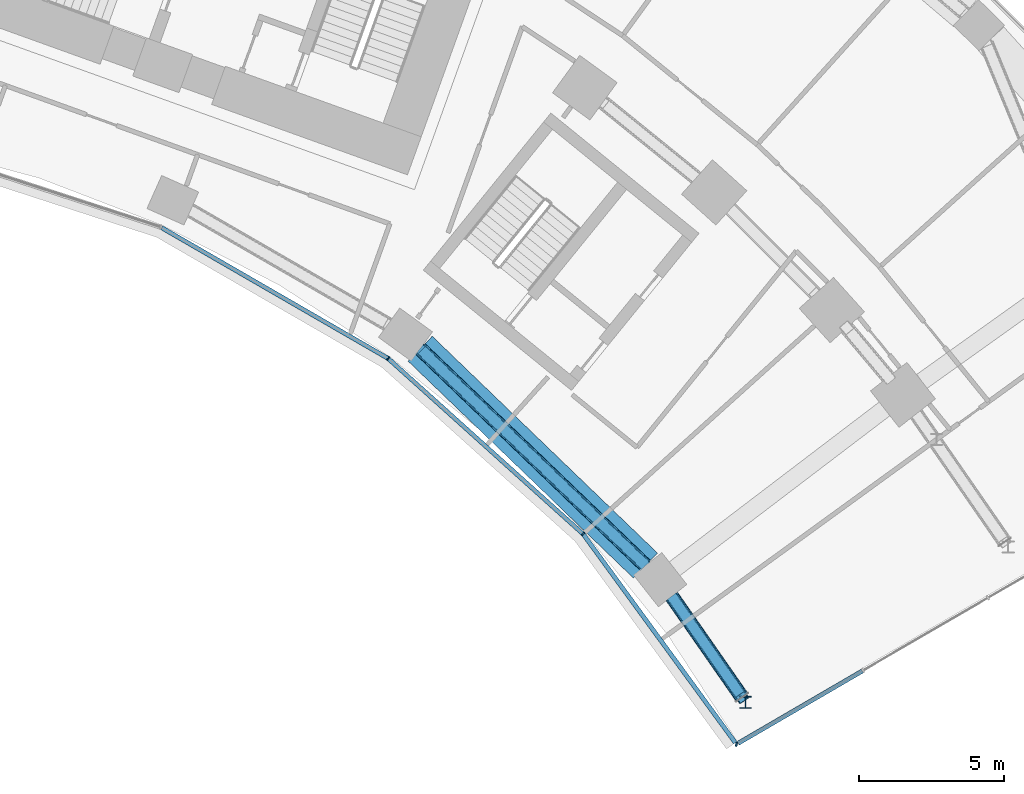
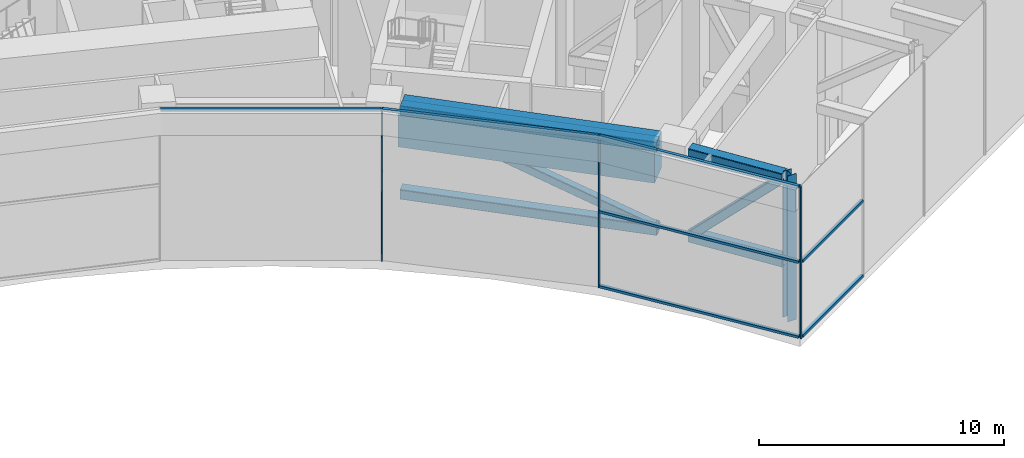
# One storey, part 9 of 33: 17 members, 1 beam, 2 elements without a shape of their own.
"""IFC4 building model written with IfcOpenShell, lengths in metres."""

from ifc_helpers import new_model, si_unit, direction, frame, origin, origin_2d, place, context, subcontext, project, spatial, rectangle, hollow_rectangle, i_section, extrude, material, layer, layer_set, material_profile, profile_set, type_object, element, aggregate, save


model = new_model("IFC4")

# Units and contexts
model_context = context("Model", 3, precision=1e-05, world=origin(), true_north=direction((0.0, 1.0)))
body_context = subcontext(model_context, "Body", "Model", "MODEL_VIEW")
ifc_project = project(units=[si_unit("LENGTHUNIT", "METRE"), si_unit("AREAUNIT", "SQUARE_METRE"), si_unit("VOLUMEUNIT", "CUBIC_METRE"), si_unit("PLANEANGLEUNIT", "RADIAN"), si_unit("MASSUNIT", "GRAM", prefix="KILO")], contexts=[model_context])

# Site, building, storey
site_placement = place(None, origin())
site = spatial("IfcSite", under=ifc_project, at=site_placement, CompositionType="ELEMENT")
building_placement = place(site_placement, origin())
building = spatial("IfcBuilding", under=site, at=building_placement, Name="Stone Belt Terrace Tower", CompositionType="ELEMENT")
storey_placement = place(building_placement, frame((0.0, 0.0, 79.39990234375)))
storey = spatial("IfcBuildingStorey", under=building, at=storey_placement, Name="L19", CompositionType="ELEMENT", Elevation=79.39990234375)

# Curtain wall, members
ifc_material_1 = material(Name="Aluminium 6063-T6 anodised frame", Category="aluminium")
ifc_layer_1 = layer(ifc_material_1, 0.14990234375)
ifc_layer_set_1 = layer_set([ifc_layer_1], Name="CW-B unitised concave-face curtain wall")
curtain_wall_type_1 = type_object("IfcCurtainWallType", Name="CW-B unitised concave-face curtain wall", PredefinedType="NOTDEFINED", material=ifc_layer_set_1)
curtain_wall_1_placement = place(storey_placement, origin())
curtain_wall_1 = element("IfcCurtainWall", 1, at=curtain_wall_1_placement, inside=storey, type_object=curtain_wall_type_1, Name="CW-B concave face L19", PredefinedType="NOTDEFINED")
ifc_material_profile_1 = material_profile(ifc_material_1, rectangle(XDim=0.14990234375, YDim=0.050048828125, at=origin_2d()), Name="Aluminium 6063-T6 50x150")
ifc_profile_set_1 = profile_set([ifc_material_profile_1], Name="Aluminium 6063-T6 anodised frame")
member_type_1 = type_object("IfcMemberType", Name="CW-B mullion 50 x 150", PredefinedType="MULLION", material=ifc_profile_set_1)
member_1_placement = place(storey_placement, frame((25.5244140625, 35.13134765625, 0.0), z_axis=(0.0, 0.0, 1.0), x_axis=(0.587785252292, 0.809016994375, 0.0)))
member_1 = element("IfcMember", 2, at=member_1_placement, type_object=member_type_1, Name="CW-B mullion 9", PredefinedType="MULLION", context=body_context, shape_type="SweptSolid", body=[
    extrude(rectangle(XDim=0.14990234375, YDim=0.050048828125, at=origin_2d()), origin(), (0.0, 0.0, 1.0), 7.60009765625),
])
member_2_placement = place(storey_placement, frame((32.270751953125, 29.056640625, 0.0), z_axis=(0.0, 0.0, 1.0), x_axis=(0.742548806143, 0.669791960608, 0.0)))
member_2 = element("IfcMember", 3, at=member_2_placement, type_object=member_type_1, Name="CW-B mullion 10", PredefinedType="MULLION", context=body_context, shape_type="SweptSolid", body=[
    extrude(rectangle(XDim=0.14990234375, YDim=0.050048828125, at=origin_2d()), origin(), (0.0, 0.0, 1.0), 7.60009765625),
])
ifc_material_profile_2 = material_profile(ifc_material_1, rectangle(XDim=0.14990234375, YDim=0.1201171875, at=origin_2d()), Name="Aluminium 6063-T6 150x120")
ifc_profile_set_2 = profile_set([ifc_material_profile_2], Name="Aluminium 6063-T6 anodised frame")
member_type_2 = type_object("IfcMemberType", Name="CW-B transom 120 x 150", PredefinedType="USERDEFINED", material=ifc_profile_set_2)
member_3_placement = place(storey_placement, frame((17.690673828125, 39.654052734375, 7.5400390625), z_axis=(0.866019133895, -0.500010859609, 0.0), x_axis=(0.500010859609, 0.866019133895, 0.0)))
member_3 = element("IfcMember", 4, at=member_3_placement, type_object=member_type_2, Name="CW-B transom 8.1", ObjectType="TRANSOM", PredefinedType="USERDEFINED", context=body_context, shape_type="SweptSolid", body=[
    extrude(rectangle(XDim=0.14990234375, YDim=0.1201171875, at=origin_2d()), origin(), (0.0, 0.0, 1.0), 9.012939453125),
])
member_4_placement = place(storey_placement, frame((25.548583984375, 35.109375, 7.5400390625), z_axis=(0.74315270459, -0.669121855614, 0.0), x_axis=(0.669121855614, 0.74315270459, 0.0)))
member_4 = element("IfcMember", 5, at=member_4_placement, type_object=member_type_2, Name="CW-B transom 9.1", ObjectType="TRANSOM", PredefinedType="USERDEFINED", context=body_context, shape_type="SweptSolid", body=[
    extrude(rectangle(XDim=0.14990234375, YDim=0.1201171875, at=origin_2d()), origin(), (0.0, 0.0, 1.0), 9.012939453125),
])
member_5_placement = place(storey_placement, frame((32.2900390625, 29.0302734375, 0.06005859375), z_axis=(0.589234850818, -0.807961812576, 0.0), x_axis=(0.807961812576, 0.589234850818, 0.0)))
member_5 = element("IfcMember", 6, at=member_5_placement, type_object=member_type_2, Name="CW-B transom 10.1", ObjectType="TRANSOM", PredefinedType="USERDEFINED", context=body_context, shape_type="SweptSolid", body=[
    extrude(rectangle(XDim=0.14990234375, YDim=0.1201171875, at=origin_2d()), origin(), (0.0, 0.0, 1.0), 8.898193359375),
])
member_6_placement = place(storey_placement, frame((32.2900390625, 29.0302734375, 3.800048828125), z_axis=(0.589234850818, -0.807961812576, 0.0), x_axis=(0.807961812576, 0.589234850818, 0.0)))
member_6 = element("IfcMember", 7, at=member_6_placement, type_object=member_type_2, Name="CW-B transom 10.2", ObjectType="TRANSOM", PredefinedType="USERDEFINED", context=body_context, shape_type="SweptSolid", body=[
    extrude(rectangle(XDim=0.14990234375, YDim=0.1201171875, at=origin_2d()), origin(), (0.0, 0.0, 1.0), 8.898193359375),
])
member_7_placement = place(storey_placement, frame((32.2900390625, 29.0302734375, 7.5400390625), z_axis=(0.589234850818, -0.807961812576, 0.0), x_axis=(0.807961812576, 0.589234850818, 0.0)))
member_7 = element("IfcMember", 8, at=member_7_placement, type_object=member_type_2, Name="CW-B transom 10.3", ObjectType="TRANSOM", PredefinedType="USERDEFINED", context=body_context, shape_type="SweptSolid", body=[
    extrude(rectangle(XDim=0.14990234375, YDim=0.1201171875, at=origin_2d()), origin(), (0.0, 0.0, 1.0), 8.898193359375),
])
aggregate(curtain_wall_1, [member_1, member_2, member_3, member_4, member_5, member_6, member_7])

ifc_layer_2 = layer(ifc_material_1, 0.14990234375)
ifc_layer_set_2 = layer_set([ifc_layer_2], Name="CW-C stick curtain wall, horn ends and notches")
curtain_wall_type_2 = type_object("IfcCurtainWallType", Name="CW-C stick curtain wall, horn ends and notches", PredefinedType="NOTDEFINED", material=ifc_layer_set_2)
curtain_wall_2_placement = place(storey_placement, origin())
curtain_wall_2 = element("IfcCurtainWall", 9, at=curtain_wall_2_placement, inside=storey, type_object=curtain_wall_type_2, Name="CW-C end face L19", PredefinedType="NOTDEFINED")
ifc_material_profile_3 = material_profile(ifc_material_1, rectangle(XDim=0.14990234375, YDim=0.06005859375, at=origin_2d()), Name="Aluminium 6063-T6 60x150")
ifc_profile_set_3 = profile_set([ifc_material_profile_3], Name="Aluminium 6063-T6 anodised frame")
member_type_3 = type_object("IfcMemberType", Name="CW-C mullion 60 x 150", PredefinedType="MULLION", material=ifc_profile_set_3)
member_8_placement = place(storey_placement, frame((37.57373046875, 21.78515625, 0.0), z_axis=(0.0, 0.0, 1.0), x_axis=(0.205298427037, 0.978699420586, 0.0)))
member_8 = element("IfcMember", 10, at=member_8_placement, type_object=member_type_3, Name="CW-C mullion 1", PredefinedType="MULLION", context=body_context, shape_type="SweptSolid", body=[
    extrude(rectangle(XDim=0.14990234375, YDim=0.06005859375, at=origin_2d()), origin(), (0.0, 0.0, 1.0), 7.60009765625),
])
ifc_material_profile_4 = material_profile(ifc_material_1, rectangle(XDim=0.14990234375, YDim=0.1201171875, at=origin_2d()), Name="Aluminium 6063-T6 150x120")
ifc_profile_set_4 = profile_set([ifc_material_profile_4], Name="Aluminium 6063-T6 anodised frame")
member_type_4 = type_object("IfcMemberType", Name="CW-C transom 120 x 150", PredefinedType="USERDEFINED", material=ifc_profile_set_4)
member_9_placement = place(storey_placement, frame((37.63623046875, 21.821533203125, 0.06005859375), z_axis=(0.864233293303, 0.503091258865, 0.0), x_axis=(-0.503091258865, 0.864233293303, 0.0)))
member_9 = element("IfcMember", 11, at=member_9_placement, type_object=member_type_4, Name="CW-C transom 1.1", ObjectType="TRANSOM", PredefinedType="USERDEFINED", context=body_context, shape_type="SweptSolid", body=[
    extrude(rectangle(XDim=0.14990234375, YDim=0.1201171875, at=origin_2d()), origin(), (0.0, 0.0, 1.0), 4.96533203125),
])
member_10_placement = place(storey_placement, frame((37.63623046875, 21.821533203125, 3.800048828125), z_axis=(0.864233293303, 0.503091258865, 0.0), x_axis=(-0.503091258865, 0.864233293303, 0.0)))
member_10 = element("IfcMember", 12, at=member_10_placement, type_object=member_type_4, Name="CW-C transom 1.2", ObjectType="TRANSOM", PredefinedType="USERDEFINED", context=body_context, shape_type="SweptSolid", body=[
    extrude(rectangle(XDim=0.14990234375, YDim=0.1201171875, at=origin_2d()), origin(), (0.0, 0.0, 1.0), 4.96533203125),
])
aggregate(curtain_wall_2, [member_8, member_9, member_10])

# Members
ifc_material_2 = material(Name="Structural steel C345", Category="steel")
ifc_material_profile_5 = material_profile(ifc_material_2, hollow_rectangle(XDim=0.5, YDim=0.5, WallThickness=0.02001953125, InnerFilletRadius=0.0400390625, OuterFilletRadius=0.06005859375, at=origin_2d()), Name="SHS 500x500x20")
ifc_profile_set_5 = profile_set([ifc_material_profile_5], Name="Structural steel C345")
member_type_5 = type_object("IfcMemberType", Name="Outrigger chord SHS 500x500x20", PredefinedType="CHORD", material=ifc_profile_set_5)
for number, where, z_axis, x_axis, name in (
    (13, (37.761474609375, 23.416748046875, 7.030029296875), (-0.571488914241, 0.820609786012, 0.0), (-0.820609786012, -0.571488914241, 0.0), "Outrigger T1 Pe top chord 1"),
    (14, (37.761474609375, 23.416748046875, 2.85009765625), (-0.571488914241, 0.820609786012, 0.0), (-0.820609786012, -0.571488914241, 0.0), "Outrigger T1 Pe bot chord 1"),
):
    element("IfcMember", number, at=place(storey_placement, frame(where, z_axis=z_axis, x_axis=x_axis)), inside=storey, type_object=member_type_5, Name=name, PredefinedType="CHORD", context=body_context, shape_type="SweptSolid", body=[
        extrude(hollow_rectangle(XDim=0.5, YDim=0.5, WallThickness=0.02001953125, InnerFilletRadius=0.0400390625, OuterFilletRadius=0.06005859375, at=origin_2d()), origin(), (0.0, 0.0, 1.0), 4.246337890625),
    ])
for number, where, z_axis, x_axis, name in (
    (15, (34.4248046875, 27.966796875, 7.030029296875), (-0.720455552809, 0.693501114943, 0.0), (-0.693501114943, -0.720455552809, 0.0), "Outrigger T1 Pe top chord 2"),
    (16, (34.4248046875, 27.966796875, 2.85009765625), (-0.720455552809, 0.693501114943, 0.0), (-0.693501114943, -0.720455552809, 0.0), "Outrigger T1 Pe bot chord 2"),
):
    element("IfcMember", number, at=place(storey_placement, frame(where, z_axis=z_axis, x_axis=x_axis)), inside=storey, type_object=member_type_5, Name=name, PredefinedType="CHORD", context=body_context, shape_type="SweptSolid", body=[
        extrude(hollow_rectangle(XDim=0.5, YDim=0.5, WallThickness=0.02001953125, InnerFilletRadius=0.0400390625, OuterFilletRadius=0.06005859375, at=origin_2d()), origin(), (0.0, 0.0, 1.0), 10.814697265625),
    ])
ifc_material_profile_6 = material_profile(ifc_material_2, hollow_rectangle(XDim=0.39990234375, YDim=0.39990234375, WallThickness=0.01611328125, InnerFilletRadius=0.031982421875, OuterFilletRadius=0.048095703125, at=origin_2d()), Name="SHS 400x400x16")
ifc_profile_set_6 = profile_set([ifc_material_profile_6], Name="Structural steel C345")
member_type_6 = type_object("IfcMemberType", Name="Outrigger diagonal SHS 400x400x16", PredefinedType="BRACE", material=ifc_profile_set_6)
member_11_placement = place(storey_placement, frame((37.772705078125, 23.400390625, 7.030029296875), z_axis=(-0.408192603493, 0.586168829771, -0.699846341319), x_axis=(-0.820627501764, -0.571463475078, 0.0)))
element("IfcMember", 17, at=member_11_placement, inside=storey, type_object=member_type_6, Name="Outrigger T1 Pe diagonal 1", PredefinedType="BRACE", context=body_context, shape_type="SweptSolid", body=[
    extrude(hollow_rectangle(XDim=0.39990234375, YDim=0.39990234375, WallThickness=0.01611328125, InnerFilletRadius=0.031982421875, OuterFilletRadius=0.048095703125, at=origin_2d()), origin(), (0.0, 0.0, 1.0), 5.97265625),
])
member_12_placement = place(storey_placement, frame((34.4248046875, 27.966796875, 2.85009765625), z_axis=(-0.672007661716, 0.646865807104, 0.36051398058), x_axis=(-0.693501114943, -0.720455552809, 0.0)))
element("IfcMember", 18, at=member_12_placement, inside=storey, type_object=member_type_6, Name="Outrigger T1 Pe diagonal 2", PredefinedType="BRACE", context=body_context, shape_type="SweptSolid", body=[
    extrude(hollow_rectangle(XDim=0.39990234375, YDim=0.39990234375, WallThickness=0.01611328125, InnerFilletRadius=0.031982421875, OuterFilletRadius=0.048095703125, at=origin_2d()), origin(), (0.0, 0.0, 1.0), 11.594482421875),
])
ifc_material_profile_7 = material_profile(ifc_material_2, i_section(OverallWidth=0.403076171875, OverallDepth=0.406005859375, WebThickness=0.01611328125, FlangeThickness=0.02392578125, at=origin_2d()), Name="I 40K3")
ifc_profile_set_7 = profile_set([ifc_material_profile_7], Name="Structural steel C345")
member_type_7 = type_object("IfcMemberType", Name="Outrigger post I 40K3", PredefinedType="POST", material=ifc_profile_set_7)
member_13_placement = place(storey_placement, frame((37.887939453125, 23.235107421875, 0.0), z_axis=(0.0, 0.0, 1.0), x_axis=(1.0, 0.0, 0.0)))
element("IfcMember", 19, at=member_13_placement, inside=storey, type_object=member_type_7, Name="Outrigger T1 Pe tip post", PredefinedType="POST", context=body_context, shape_type="SweptSolid", body=[
    extrude(i_section(OverallWidth=0.403076171875, OverallDepth=0.406005859375, WebThickness=0.01611328125, FlangeThickness=0.02392578125, at=origin_2d()), origin(), (0.0, 0.0, 1.0), 7.280029296875),
])

# Beam
ifc_material_3 = material(Name="Concrete B80", Category="concrete")
ifc_material_profile_8 = material_profile(ifc_material_3, rectangle(XDim=1.199951171875, YDim=1.800048828125, at=origin_2d()), Name="RC 1200x1800")
ifc_profile_set_8 = profile_set([ifc_material_profile_8], Name="Concrete B80")
beam_type = type_object("IfcBeamType", Name="Transfer girder RC 1200x1800 B80", PredefinedType="BEAM", material=ifc_profile_set_8)
beam_placement = place(storey_placement, frame((26.63330078125, 35.466796875, 6.380126953125), z_axis=(0.720455552809, -0.693501114943, 0.0), x_axis=(0.693501114943, 0.720455552809, 0.0)))
element("IfcBeam", 20, at=beam_placement, inside=storey, type_object=beam_type, Name="Transfer beam L19 PP28-PB", PredefinedType="BEAM", context=body_context, shape_type="SweptSolid", body=[
    extrude(rectangle(XDim=1.199951171875, YDim=1.800048828125, at=origin_2d()), origin(), (0.0, 0.0, 1.0), 10.814697265625),
])

save(model, "model.ifc")
